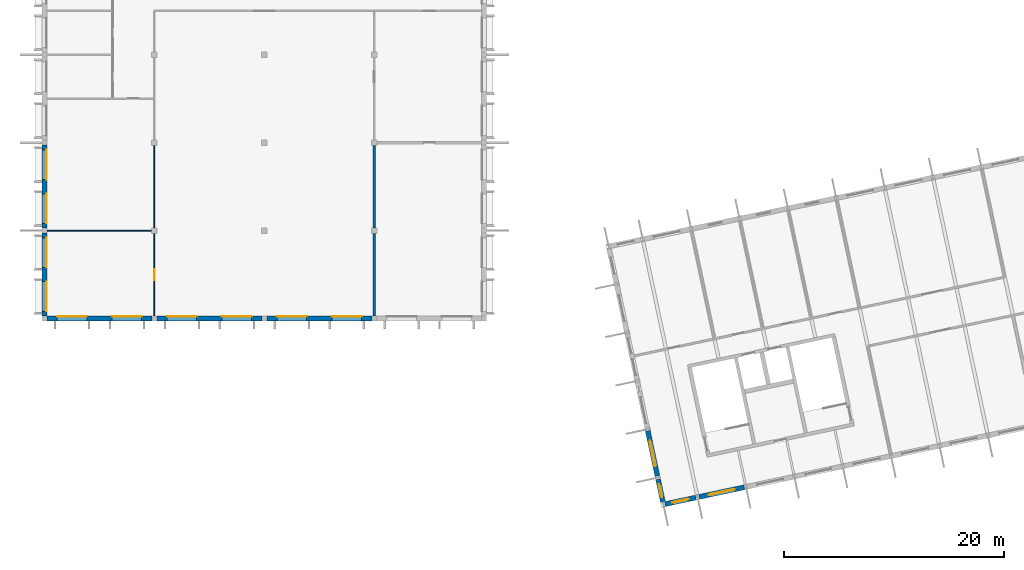
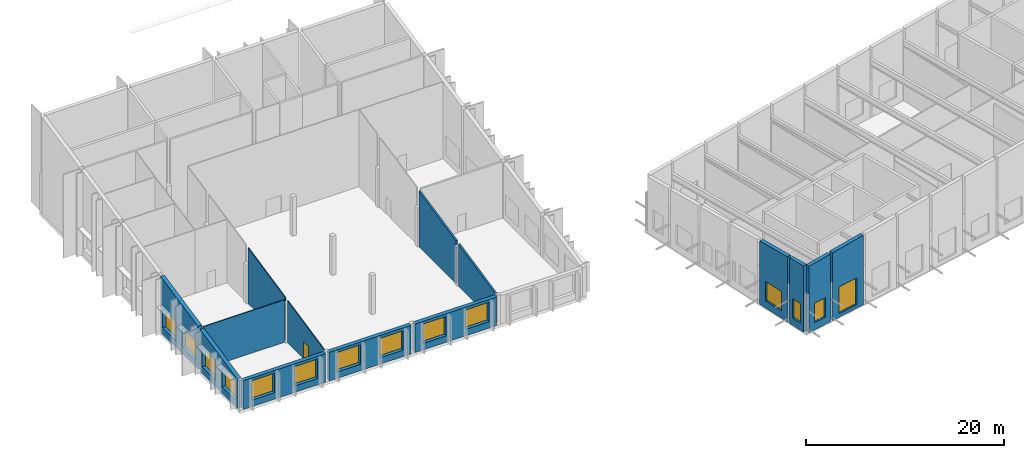
# One storey, part 37 of 69: 14 walls, 14 windows, 1 door, 15 openings.
"""IFC4 building model written with IfcOpenShell, lengths in metres."""

from ifc_helpers import new_model, si_unit, direction, frame, frame_2d, origin, place, context, subcontext, project, spatial, polyline, rectangle, outline, extrude, material, layer, layer_set, type_object, element, fill, save


model = new_model("IFC4")

# Units and contexts
model_context = context("Model", 3, precision=1e-05, world=origin(), true_north=direction((0.0, 1.0)))
body_context = subcontext(model_context, "Body", "Model", "MODEL_VIEW")
ifc_project = project(units=[si_unit("LENGTHUNIT", "METRE"), si_unit("AREAUNIT", "SQUARE_METRE"), si_unit("VOLUMEUNIT", "CUBIC_METRE"), si_unit("PLANEANGLEUNIT", "RADIAN"), si_unit("MASSUNIT", "GRAM", prefix="KILO")], contexts=[model_context])

# Site, building, storey
site_placement = place(None, origin())
site = spatial("IfcSite", under=ifc_project, at=site_placement, CompositionType="ELEMENT")
building_placement = place(site_placement, origin())
building = spatial("IfcBuilding", under=site, at=building_placement, Name="Okhra Congress Centre", CompositionType="ELEMENT")
storey_placement = place(building_placement, frame((0.0, 0.0, 16.800048828125)))
storey = spatial("IfcBuildingStorey", under=building, at=storey_placement, Name="L03", CompositionType="ELEMENT", Elevation=16.800048828125)

# Wall, openings, windows
ifc_material_1 = material(Name="Insulated metal panel on steel stud (mineral wool, vapour barrier)", Category="steel")
ifc_layer_1 = layer(ifc_material_1, 0.449951171875)
ifc_layer_set_1 = layer_set([ifc_layer_1], Name="Insulated wall 450")
wall_type_1 = type_object("IfcWallType", Name="Insulated wall 450", PredefinedType="SOLIDWALL", material=ifc_layer_set_1)
wall_1_placement = place(storey_placement, frame((6.22509765625, 44.0, 0.0), z_axis=(0.0, 0.0, 1.0), x_axis=(1.0, 0.0, 0.0)))
wall_1 = element("IfcWall", 1, at=wall_1_placement, inside=storey, type_object=wall_type_1, Name="RS.WALL.L03.1", PredefinedType="SOLIDWALL", context=body_context, shape_type="SweptSolid", body=[
    extrude(rectangle(XDim=9.5498046875, YDim=0.449951171875, at=frame_2d((4.77490234375, 0.0))), origin(), (0.0, 0.0, 1.0), 3.541015625),
])
opening_1_placement = place(wall_1_placement, frame((0.925048828125, 0.0, 0.800048828125)))
opening_1 = element("IfcOpeningElement", 2, at=opening_1_placement, cuts=wall_1, Name="Opening WN19", PredefinedType="OPENING", context=body_context, shape_type="SweptSolid", body=[
    extrude(rectangle(XDim=2.699951171875, YDim=2.39990234375, at=frame_2d((1.35009765625, 1.199951171875))), frame((0.0, 0.23486328125, 0.0), z_axis=(0.0, -1.0, 0.0), x_axis=(1.0, 0.0, 0.0)), (0.0, 0.0, 1.0), 0.469970703125),
])
opening_2_placement = place(wall_1_placement, frame((5.925048828125, 0.0, 0.800048828125)))
opening_2 = element("IfcOpeningElement", 3, at=opening_2_placement, cuts=wall_1, Name="Opening WN19", PredefinedType="OPENING", context=body_context, shape_type="SweptSolid", body=[
    extrude(rectangle(XDim=2.699951171875, YDim=2.39990234375, at=frame_2d((1.35009765625, 1.199951171875))), frame((0.0, 0.23486328125, 0.0), z_axis=(0.0, -1.0, 0.0), x_axis=(1.0, 0.0, 0.0)), (0.0, 0.0, 1.0), 0.469970703125),
])
ifc_material_2 = material(Name="Thermally broken aluminium frame, triple glazing", Category="aluminium")
window_type_1 = type_object("IfcWindowType", Name="Fixed window 2700x2400", PartitioningType="SINGLE_PANEL", PredefinedType="WINDOW", material=ifc_material_2)
window_1_placement = place(opening_1_placement, origin())
window_1 = element("IfcWindow", 4, at=window_1_placement, inside=storey, type_object=window_type_1, Name="RS.WIN.L03.1", OverallHeight=2.39990234375, OverallWidth=2.699951171875, PartitioningType="SINGLE_PANEL", PredefinedType="WINDOW", context=body_context, shape_type="SweptSolid", body=[
    extrude(rectangle(XDim=2.699951171875, YDim=2.39990234375, at=frame_2d((1.35009765625, 1.199951171875))), frame((0.0, 0.215087890625, 0.0), z_axis=(0.0, -1.0, 0.0), x_axis=(1.0, 0.0, 0.0)), (0.0, 0.0, 1.0), 0.06005859375),
])
fill(opening_1, window_1)
window_2_placement = place(opening_2_placement, origin())
window_2 = element("IfcWindow", 5, at=window_2_placement, inside=storey, type_object=window_type_1, Name="RS.WIN.L03.2", OverallHeight=2.39990234375, OverallWidth=2.699951171875, PartitioningType="SINGLE_PANEL", PredefinedType="WINDOW", context=body_context, shape_type="SweptSolid", body=[
    extrude(rectangle(XDim=2.699951171875, YDim=2.39990234375, at=frame_2d((1.35009765625, 1.199951171875))), frame((0.0, 0.215087890625, 0.0), z_axis=(0.0, -1.0, 0.0), x_axis=(1.0, 0.0, 0.0)), (0.0, 0.0, 1.0), 0.06005859375),
])
fill(opening_2, window_2)

wall_2_placement = place(storey_placement, frame((16.22509765625, 44.0, 0.0), z_axis=(0.0, 0.0, 1.0), x_axis=(1.0, 0.0, 0.0)))
wall_2 = element("IfcWall", 6, at=wall_2_placement, inside=storey, type_object=wall_type_1, Name="RS.WALL.L03.2", PredefinedType="SOLIDWALL", context=body_context, shape_type="SweptSolid", body=[
    extrude(rectangle(XDim=9.5498046875, YDim=0.449951171875, at=frame_2d((4.77490234375, 0.0))), origin(), (0.0, 0.0, 1.0), 3.541015625),
])
opening_3_placement = place(wall_2_placement, frame((0.925048828125, 0.0, 0.800048828125)))
opening_3 = element("IfcOpeningElement", 7, at=opening_3_placement, cuts=wall_2, Name="Opening WN19", PredefinedType="OPENING", context=body_context, shape_type="SweptSolid", body=[
    extrude(rectangle(XDim=2.699951171875, YDim=2.39990234375, at=frame_2d((1.35009765625, 1.199951171875))), frame((0.0, 0.23486328125, 0.0), z_axis=(0.0, -1.0, 0.0), x_axis=(1.0, 0.0, 0.0)), (0.0, 0.0, 1.0), 0.469970703125),
])
opening_4_placement = place(wall_2_placement, frame((5.925048828125, 0.0, 0.800048828125)))
opening_4 = element("IfcOpeningElement", 8, at=opening_4_placement, cuts=wall_2, Name="Opening WN19", PredefinedType="OPENING", context=body_context, shape_type="SweptSolid", body=[
    extrude(rectangle(XDim=2.699951171875, YDim=2.39990234375, at=frame_2d((1.35009765625, 1.199951171875))), frame((0.0, 0.23486328125, 0.0), z_axis=(0.0, -1.0, 0.0), x_axis=(1.0, 0.0, 0.0)), (0.0, 0.0, 1.0), 0.469970703125),
])
window_3_placement = place(opening_3_placement, origin())
window_3 = element("IfcWindow", 9, at=window_3_placement, inside=storey, type_object=window_type_1, Name="RS.WIN.L03.3", OverallHeight=2.39990234375, OverallWidth=2.699951171875, PartitioningType="SINGLE_PANEL", PredefinedType="WINDOW", context=body_context, shape_type="SweptSolid", body=[
    extrude(rectangle(XDim=2.699951171875, YDim=2.39990234375, at=frame_2d((1.35009765625, 1.199951171875))), frame((0.0, 0.215087890625, 0.0), z_axis=(0.0, -1.0, 0.0), x_axis=(1.0, 0.0, 0.0)), (0.0, 0.0, 1.0), 0.06005859375),
])
fill(opening_3, window_3)
window_4_placement = place(opening_4_placement, origin())
window_4 = element("IfcWindow", 10, at=window_4_placement, inside=storey, type_object=window_type_1, Name="RS.WIN.L03.4", OverallHeight=2.39990234375, OverallWidth=2.699951171875, PartitioningType="SINGLE_PANEL", PredefinedType="WINDOW", context=body_context, shape_type="SweptSolid", body=[
    extrude(rectangle(XDim=2.699951171875, YDim=2.39990234375, at=frame_2d((1.35009765625, 1.199951171875))), frame((0.0, 0.215087890625, 0.0), z_axis=(0.0, -1.0, 0.0), x_axis=(1.0, 0.0, 0.0)), (0.0, 0.0, 1.0), 0.06005859375),
])
fill(opening_4, window_4)

wall_3_placement = place(storey_placement, frame((26.22509765625, 44.0, 0.0), z_axis=(0.0, 0.0, 1.0), x_axis=(1.0, 0.0, 0.0)))
wall_3 = element("IfcWall", 11, at=wall_3_placement, inside=storey, type_object=wall_type_1, Name="RS.WALL.L03.3", PredefinedType="SOLIDWALL", context=body_context, shape_type="SweptSolid", body=[
    extrude(rectangle(XDim=9.5498046875, YDim=0.449951171875, at=frame_2d((4.77490234375, 0.0))), origin(), (0.0, 0.0, 1.0), 3.541015625),
])
opening_5_placement = place(wall_3_placement, frame((0.925048828125, 0.0, 0.800048828125)))
opening_5 = element("IfcOpeningElement", 12, at=opening_5_placement, cuts=wall_3, Name="Opening WN19", PredefinedType="OPENING", context=body_context, shape_type="SweptSolid", body=[
    extrude(rectangle(XDim=2.699951171875, YDim=2.39990234375, at=frame_2d((1.35009765625, 1.199951171875))), frame((0.0, 0.23486328125, 0.0), z_axis=(0.0, -1.0, 0.0), x_axis=(1.0, 0.0, 0.0)), (0.0, 0.0, 1.0), 0.469970703125),
])
opening_6_placement = place(wall_3_placement, frame((5.925048828125, 0.0, 0.800048828125)))
opening_6 = element("IfcOpeningElement", 13, at=opening_6_placement, cuts=wall_3, Name="Opening WN19", PredefinedType="OPENING", context=body_context, shape_type="SweptSolid", body=[
    extrude(rectangle(XDim=2.699951171875, YDim=2.39990234375, at=frame_2d((1.35009765625, 1.199951171875))), frame((0.0, 0.23486328125, 0.0), z_axis=(0.0, -1.0, 0.0), x_axis=(1.0, 0.0, 0.0)), (0.0, 0.0, 1.0), 0.469970703125),
])
window_5_placement = place(opening_5_placement, origin())
window_5 = element("IfcWindow", 14, at=window_5_placement, inside=storey, type_object=window_type_1, Name="RS.WIN.L03.5", OverallHeight=2.39990234375, OverallWidth=2.699951171875, PartitioningType="SINGLE_PANEL", PredefinedType="WINDOW", context=body_context, shape_type="SweptSolid", body=[
    extrude(rectangle(XDim=2.699951171875, YDim=2.39990234375, at=frame_2d((1.35009765625, 1.199951171875))), frame((0.0, 0.215087890625, 0.0), z_axis=(0.0, -1.0, 0.0), x_axis=(1.0, 0.0, 0.0)), (0.0, 0.0, 1.0), 0.06005859375),
])
fill(opening_5, window_5)
window_6_placement = place(opening_6_placement, origin())
window_6 = element("IfcWindow", 15, at=window_6_placement, inside=storey, type_object=window_type_1, Name="RS.WIN.L03.6", OverallHeight=2.39990234375, OverallWidth=2.699951171875, PartitioningType="SINGLE_PANEL", PredefinedType="WINDOW", context=body_context, shape_type="SweptSolid", body=[
    extrude(rectangle(XDim=2.699951171875, YDim=2.39990234375, at=frame_2d((1.35009765625, 1.199951171875))), frame((0.0, 0.215087890625, 0.0), z_axis=(0.0, -1.0, 0.0), x_axis=(1.0, 0.0, 0.0)), (0.0, 0.0, 1.0), 0.06005859375),
])
fill(opening_6, window_6)

wall_4_placement = place(storey_placement, frame((6.0, 51.77490234375, 0.0), z_axis=(0.0, 0.0, 1.0), x_axis=(0.0, -1.0, 0.0)))
wall_4 = element("IfcWall", 16, at=wall_4_placement, inside=storey, type_object=wall_type_1, Name="RS.WALL.L03.25", PredefinedType="SOLIDWALL", context=body_context, shape_type="SweptSolid", body=[
    extrude(outline(polyline([(0.0, 0.0), (7.5498046875, 0.0), (7.550048828125, 3.5888671875), (0.0, 5.193603515625), (0.0, 0.0)])), frame((0.0, 0.22509765625, 0.0), z_axis=(0.0, -1.0, 0.0), x_axis=(1.0, 0.0, 0.0)), (0.0, 0.0, 1.0), 0.449951171875),
])
opening_7_placement = place(wall_4_placement, frame((4.425048828125, 0.0, 0.800048828125)))
opening_7 = element("IfcOpeningElement", 17, at=opening_7_placement, cuts=wall_4, Name="Opening WN19", PredefinedType="OPENING", context=body_context, shape_type="SweptSolid", body=[
    extrude(rectangle(XDim=2.699951171875, YDim=2.39990234375, at=frame_2d((1.35009765625, 1.199951171875))), frame((0.0, 0.23486328125, 0.0), z_axis=(0.0, -1.0, 0.0), x_axis=(1.0, 0.0, 0.0)), (0.0, 0.0, 1.0), 0.469970703125),
])
opening_8_placement = place(wall_4_placement, frame((0.425048828125, 0.0, 0.800048828125)))
opening_8 = element("IfcOpeningElement", 18, at=opening_8_placement, cuts=wall_4, Name="Opening WN19", PredefinedType="OPENING", context=body_context, shape_type="SweptSolid", body=[
    extrude(rectangle(XDim=2.699951171875, YDim=2.39990234375, at=frame_2d((1.35009765625, 1.199951171875))), frame((0.0, 0.23486328125, 0.0), z_axis=(0.0, -1.0, 0.0), x_axis=(1.0, 0.0, 0.0)), (0.0, 0.0, 1.0), 0.469970703125),
])
window_7_placement = place(opening_7_placement, origin())
window_7 = element("IfcWindow", 19, at=window_7_placement, inside=storey, type_object=window_type_1, Name="RS.WIN.L03.11", OverallHeight=2.39990234375, OverallWidth=2.699951171875, PartitioningType="SINGLE_PANEL", PredefinedType="WINDOW", context=body_context, shape_type="SweptSolid", body=[
    extrude(rectangle(XDim=2.699951171875, YDim=2.39990234375, at=frame_2d((1.35009765625, 1.199951171875))), frame((0.0, 0.215087890625, 0.0), z_axis=(0.0, -1.0, 0.0), x_axis=(1.0, 0.0, 0.0)), (0.0, 0.0, 1.0), 0.06005859375),
])
fill(opening_7, window_7)
window_8_placement = place(opening_8_placement, origin())
window_8 = element("IfcWindow", 20, at=window_8_placement, inside=storey, type_object=window_type_1, Name="RS.WIN.L03.12", OverallHeight=2.39990234375, OverallWidth=2.699951171875, PartitioningType="SINGLE_PANEL", PredefinedType="WINDOW", context=body_context, shape_type="SweptSolid", body=[
    extrude(rectangle(XDim=2.699951171875, YDim=2.39990234375, at=frame_2d((1.35009765625, 1.199951171875))), frame((0.0, 0.215087890625, 0.0), z_axis=(0.0, -1.0, 0.0), x_axis=(1.0, 0.0, 0.0)), (0.0, 0.0, 1.0), 0.06005859375),
])
fill(opening_8, window_8)

wall_5_placement = place(storey_placement, frame((6.0, 59.77490234375, 0.0), z_axis=(0.0, 0.0, 1.0), x_axis=(0.0, -1.0, 0.0)))
wall_5 = element("IfcWall", 21, at=wall_5_placement, inside=storey, type_object=wall_type_1, Name="RS.WALL.L03.26", PredefinedType="SOLIDWALL", context=body_context, shape_type="SweptSolid", body=[
    extrude(outline(polyline([(0.0, 0.0), (7.5498046875, 0.0), (7.550048828125, 5.289306640625), (0.0, 6.89404296875), (0.0, 0.0)])), frame((0.0, 0.22509765625, 0.0), z_axis=(0.0, -1.0, 0.0), x_axis=(1.0, 0.0, 0.0)), (0.0, 0.0, 1.0), 0.449951171875),
])
opening_9_placement = place(wall_5_placement, frame((4.425048828125, 0.0, 0.800048828125)))
opening_9 = element("IfcOpeningElement", 22, at=opening_9_placement, cuts=wall_5, Name="Opening WN19", PredefinedType="OPENING", context=body_context, shape_type="SweptSolid", body=[
    extrude(rectangle(XDim=2.699951171875, YDim=2.39990234375, at=frame_2d((1.35009765625, 1.199951171875))), frame((0.0, 0.23486328125, 0.0), z_axis=(0.0, -1.0, 0.0), x_axis=(1.0, 0.0, 0.0)), (0.0, 0.0, 1.0), 0.469970703125),
])
opening_10_placement = place(wall_5_placement, frame((0.425048828125, 0.0, 0.800048828125)))
opening_10 = element("IfcOpeningElement", 23, at=opening_10_placement, cuts=wall_5, Name="Opening WN19", PredefinedType="OPENING", context=body_context, shape_type="SweptSolid", body=[
    extrude(rectangle(XDim=2.699951171875, YDim=2.39990234375, at=frame_2d((1.35009765625, 1.199951171875))), frame((0.0, 0.23486328125, 0.0), z_axis=(0.0, -1.0, 0.0), x_axis=(1.0, 0.0, 0.0)), (0.0, 0.0, 1.0), 0.469970703125),
])
window_9_placement = place(opening_9_placement, origin())
window_9 = element("IfcWindow", 24, at=window_9_placement, inside=storey, type_object=window_type_1, Name="RS.WIN.L03.13", OverallHeight=2.39990234375, OverallWidth=2.699951171875, PartitioningType="SINGLE_PANEL", PredefinedType="WINDOW", context=body_context, shape_type="SweptSolid", body=[
    extrude(rectangle(XDim=2.699951171875, YDim=2.39990234375, at=frame_2d((1.35009765625, 1.199951171875))), frame((0.0, 0.215087890625, 0.0), z_axis=(0.0, -1.0, 0.0), x_axis=(1.0, 0.0, 0.0)), (0.0, 0.0, 1.0), 0.06005859375),
])
fill(opening_9, window_9)
window_10_placement = place(opening_10_placement, origin())
window_10 = element("IfcWindow", 25, at=window_10_placement, inside=storey, type_object=window_type_1, Name="RS.WIN.L03.14", OverallHeight=2.39990234375, OverallWidth=2.699951171875, PartitioningType="SINGLE_PANEL", PredefinedType="WINDOW", context=body_context, shape_type="SweptSolid", body=[
    extrude(rectangle(XDim=2.699951171875, YDim=2.39990234375, at=frame_2d((1.35009765625, 1.199951171875))), frame((0.0, 0.215087890625, 0.0), z_axis=(0.0, -1.0, 0.0), x_axis=(1.0, 0.0, 0.0)), (0.0, 0.0, 1.0), 0.06005859375),
])
fill(opening_10, window_10)

# Wall, opening, window
wall_6_placement = place(storey_placement, frame((62.453857421875, 27.115966796875, 0.0), z_axis=(0.0, 0.0, 1.0), x_axis=(0.978151512004, 0.207893288886, 0.0)))
wall_6 = element("IfcWall", 26, at=wall_6_placement, inside=storey, type_object=wall_type_1, Name="External wall S1 L03", PredefinedType="SOLIDWALL", context=body_context, shape_type="SweptSolid", body=[
    extrude(outline(polyline([(0.0, 0.0), (2.874755859375, 0.0), (2.875, 8.352783203125), (0.0, 8.198974609375), (0.0, 0.0)])), frame((0.0, 0.22509765625, 0.0), z_axis=(0.0, -1.0, 0.0), x_axis=(1.0, 0.0, 0.0)), (0.0, 0.0, 1.0), 0.449951171875),
])
opening_11_placement = place(wall_6_placement, frame((0.6875, 0.0, 0.89990234375)))
opening_11 = element("IfcOpeningElement", 27, at=opening_11_placement, cuts=wall_6, Name="Opening WN20", PredefinedType="OPENING", context=body_context, shape_type="SweptSolid", body=[
    extrude(rectangle(XDim=1.5, YDim=2.39990234375, at=frame_2d((0.75, 1.199951171875))), frame((0.0, 0.23486328125, 0.0), z_axis=(0.0, -1.0, 0.0), x_axis=(1.0, 0.0, 0.0)), (0.0, 0.0, 1.0), 0.469970703125),
])
window_type_2 = type_object("IfcWindowType", Name="Fixed window 1500x2400", PartitioningType="SINGLE_PANEL", PredefinedType="WINDOW", material=ifc_material_2)
window_11_placement = place(opening_11_placement, origin())
window_11 = element("IfcWindow", 28, at=window_11_placement, inside=storey, type_object=window_type_2, Name="BX.WIN.L03.1", OverallHeight=2.39990234375, OverallWidth=1.5, PartitioningType="SINGLE_PANEL", PredefinedType="WINDOW", context=body_context, shape_type="SweptSolid", body=[
    extrude(rectangle(XDim=1.5, YDim=2.39990234375, at=frame_2d((0.75, 1.199951171875))), frame((0.0, 0.030029296875, 0.0), z_axis=(0.0, -1.0, 0.0), x_axis=(1.0, 0.0, 0.0)), (0.0, 0.0, 1.0), 0.06005859375),
])
fill(opening_11, window_11)

wall_7_placement = place(storey_placement, frame((65.559326171875, 27.776123046875, 0.0), z_axis=(0.0, 0.0, 1.0), x_axis=(0.978155748334, 0.207873355681, 0.0)))
wall_7 = element("IfcWall", 29, at=wall_7_placement, inside=storey, type_object=wall_type_1, Name="External wall S2 L03", PredefinedType="SOLIDWALL", context=body_context, shape_type="SweptSolid", body=[
    extrude(outline(polyline([(0.0, 0.0), (4.199951171875, 0.0), (4.199951171875, 8.593505859375), (0.0, 8.368896484375), (0.0, 0.0)])), frame((0.0, 0.22509765625, 0.0), z_axis=(0.0, -1.0, 0.0), x_axis=(1.0, 0.0, 0.0)), (0.0, 0.0, 1.0), 0.449951171875),
])
opening_12_placement = place(wall_7_placement, frame((0.89990234375, 0.0, 0.449951171875)))
opening_12 = element("IfcOpeningElement", 30, at=opening_12_placement, cuts=wall_7, Name="Opening WN21", PredefinedType="OPENING", context=body_context, shape_type="SweptSolid", body=[
    extrude(rectangle(XDim=2.39990234375, YDim=3.300048828125, at=frame_2d((1.199951171875, 1.64990234375))), frame((0.0, 0.23486328125, 0.0), z_axis=(0.0, -1.0, 0.0), x_axis=(1.0, 0.0, 0.0)), (0.0, 0.0, 1.0), 0.469970703125),
])
window_type_3 = type_object("IfcWindowType", Name="Two-light window 2400x3300", PartitioningType="DOUBLE_PANEL_VERTICAL", PredefinedType="WINDOW", material=ifc_material_2)
window_12_placement = place(opening_12_placement, origin())
window_12 = element("IfcWindow", 31, at=window_12_placement, inside=storey, type_object=window_type_3, Name="BX.WIN.L03.2", OverallHeight=3.300048828125, OverallWidth=2.39990234375, PartitioningType="DOUBLE_PANEL_VERTICAL", PredefinedType="WINDOW", context=body_context, shape_type="SweptSolid", body=[
    extrude(rectangle(XDim=2.39990234375, YDim=3.300048828125, at=frame_2d((1.199951171875, 1.64990234375))), frame((0.0, 0.030029296875, 0.0), z_axis=(0.0, -1.0, 0.0), x_axis=(1.0, 0.0, 0.0)), (0.0, 0.0, 1.0), 0.06005859375),
])
fill(opening_12, window_12)

wall_8_placement = place(storey_placement, frame((62.26123046875, 27.2998046875, 0.0), z_axis=(0.0, 0.0, 1.0), x_axis=(-0.207834022607, 0.978164106399, 0.0)))
wall_8 = element("IfcWall", 32, at=wall_8_placement, inside=storey, type_object=wall_type_1, Name="External wall W1 L03", PredefinedType="SOLIDWALL", context=body_context, shape_type="SweptSolid", body=[
    extrude(outline(polyline([(0.0, 0.0), (2.125, 0.0), (2.125, 8.06787109375), (0.0, 8.179443359375), (0.0, 0.0)])), frame((0.0, 0.22509765625, 0.0), z_axis=(0.0, -1.0, 0.0), x_axis=(1.0, 0.0, 0.0)), (0.0, 0.0, 1.0), 0.449951171875),
])
opening_13_placement = place(wall_8_placement, frame((0.46240234375, 0.0, 0.89990234375)))
opening_13 = element("IfcOpeningElement", 33, at=opening_13_placement, cuts=wall_8, Name="Opening WN25", PredefinedType="OPENING", context=body_context, shape_type="SweptSolid", body=[
    extrude(rectangle(XDim=1.199951171875, YDim=2.39990234375, at=frame_2d((0.60009765625, 1.199951171875))), frame((0.0, 0.23486328125, 0.0), z_axis=(0.0, -1.0, 0.0), x_axis=(1.0, 0.0, 0.0)), (0.0, 0.0, 1.0), 0.469970703125),
])
window_type_4 = type_object("IfcWindowType", Name="Fixed window 1200x2400", PartitioningType="SINGLE_PANEL", PredefinedType="WINDOW", material=ifc_material_2)
window_13_placement = place(opening_13_placement, origin())
window_13 = element("IfcWindow", 34, at=window_13_placement, inside=storey, type_object=window_type_4, Name="BX.WIN.L03.122", OverallHeight=2.39990234375, OverallWidth=1.199951171875, PartitioningType="SINGLE_PANEL", PredefinedType="WINDOW", context=body_context, shape_type="SweptSolid", body=[
    extrude(rectangle(XDim=1.199951171875, YDim=2.39990234375, at=frame_2d((0.60009765625, 1.199951171875))), frame((0.0, 0.030029296875, 0.0), z_axis=(0.0, -1.0, 0.0), x_axis=(1.0, 0.0, 0.0)), (0.0, 0.0, 1.0), 0.06005859375),
])
fill(opening_13, window_13)

wall_9_placement = place(storey_placement, frame((61.757080078125, 29.671875, 0.0), z_axis=(0.0, 0.0, 1.0), x_axis=(-0.207928972925, 0.978143927149, 0.0)))
wall_9 = element("IfcWall", 35, at=wall_9_placement, inside=storey, type_object=wall_type_1, Name="External wall W2 L03", PredefinedType="SOLIDWALL", context=body_context, shape_type="SweptSolid", body=[
    extrude(outline(polyline([(0.0, 0.0), (4.199951171875, 0.0), (4.199951171875, 7.83203125), (0.0, 8.05224609375), (0.0, 0.0)])), frame((0.0, 0.22509765625, 0.0), z_axis=(0.0, -1.0, 0.0), x_axis=(1.0, 0.0, 0.0)), (0.0, 0.0, 1.0), 0.449951171875),
])
opening_14_placement = place(wall_9_placement, frame((0.89990234375, 0.0, 0.89990234375)))
opening_14 = element("IfcOpeningElement", 36, at=opening_14_placement, cuts=wall_9, Name="Opening WN22", PredefinedType="OPENING", context=body_context, shape_type="SweptSolid", body=[
    extrude(rectangle(XDim=2.39990234375, YDim=2.39990234375, at=frame_2d((1.199951171875, 1.199951171875))), frame((0.0, 0.23486328125, 0.0), z_axis=(0.0, -1.0, 0.0), x_axis=(1.0, 0.0, 0.0)), (0.0, 0.0, 1.0), 0.469970703125),
])
window_type_5 = type_object("IfcWindowType", Name="Fixed window 2400x2400", PartitioningType="SINGLE_PANEL", PredefinedType="WINDOW", material=ifc_material_2)
window_14_placement = place(opening_14_placement, origin())
window_14 = element("IfcWindow", 37, at=window_14_placement, inside=storey, type_object=window_type_5, Name="BX.WIN.L03.123", OverallHeight=2.39990234375, OverallWidth=2.39990234375, PartitioningType="SINGLE_PANEL", PredefinedType="WINDOW", context=body_context, shape_type="SweptSolid", body=[
    extrude(rectangle(XDim=2.39990234375, YDim=2.39990234375, at=frame_2d((1.199951171875, 1.199951171875))), frame((0.0, 0.030029296875, 0.0), z_axis=(0.0, -1.0, 0.0), x_axis=(1.0, 0.0, 0.0)), (0.0, 0.0, 1.0), 0.06005859375),
])
fill(opening_14, window_14)

# Walls
ifc_material_3 = material(Name="Masonry blockwork (aerated concrete D500)", Category="masonry")
ifc_layer_2 = layer(ifc_material_3, 0.199951171875)
ifc_layer_set_2 = layer_set([ifc_layer_2], Name="Masonry block wall 200 EI 45")
wall_type_2 = type_object("IfcWallType", Name="Masonry block wall 200 EI 45", PredefinedType="SOLIDWALL", material=ifc_layer_set_2)
wall_10_placement = place(storey_placement, frame((36.0, 44.22509765625, 0.0), z_axis=(0.0, 0.0, 1.0), x_axis=(0.0, 1.0, 0.0)))
element("IfcWall", 38, at=wall_10_placement, inside=storey, type_object=wall_type_2, Name="RS.WALL.L03.43", PredefinedType="SOLIDWALL", context=body_context, shape_type="SweptSolid", body=[
    extrude(outline(polyline([(0.0, 0.0), (7.52490234375, 0.0), (7.52490234375, 5.1884765625), (0.0, 3.5888671875), (0.0, 0.0)])), frame((0.0, 0.10009765625, 0.0), z_axis=(0.0, -1.0, 0.0), x_axis=(1.0, 0.0, 0.0)), (0.0, 0.0, 1.0), 0.199951171875),
])
wall_11_placement = place(storey_placement, frame((36.0, 52.25, 0.0), z_axis=(0.0, 0.0, 1.0), x_axis=(0.0, 1.0, 0.0)))
element("IfcWall", 39, at=wall_11_placement, inside=storey, type_object=wall_type_2, Name="RS.WALL.L03.44", PredefinedType="SOLIDWALL", context=body_context, shape_type="SweptSolid", body=[
    extrude(outline(polyline([(0.0, 0.0), (7.5, 0.0), (7.5, 6.888916015625), (0.0, 5.294677734375), (0.0, 0.0)])), frame((0.0, 0.10009765625, 0.0), z_axis=(0.0, -1.0, 0.0), x_axis=(1.0, 0.0, 0.0)), (0.0, 0.0, 1.0), 0.199951171875),
])
ifc_material_4 = material(Name="Gypsum board on steel studs", Category="steel")
ifc_layer_3 = layer(ifc_material_4, 0.10009765625)
ifc_layer_set_3 = layer_set([ifc_layer_3], Name="Partition 100 EI 15")
wall_type_3 = type_object("IfcWallType", Name="Partition 100 EI 15", PredefinedType="PARTITIONING", material=ifc_layer_set_3)
wall_12_placement = place(storey_placement, frame((6.22509765625, 52.0, 0.0), z_axis=(0.0, 0.0, 1.0), x_axis=(1.0, 0.0, 0.0)))
element("IfcWall", 40, at=wall_12_placement, inside=storey, type_object=wall_type_3, Name="RS.WALL.L03.5", PredefinedType="PARTITIONING", context=body_context, shape_type="SweptSolid", body=[
    extrude(rectangle(XDim=9.52490234375, YDim=0.10009765625, at=frame_2d((4.762451171875, 0.0))), origin(), (0.0, 0.0, 1.0), 5.241455078125),
])

# Wall, opening, door
wall_13_placement = place(storey_placement, frame((16.0, 44.22509765625, 0.0), z_axis=(0.0, 0.0, 1.0), x_axis=(0.0, 1.0, 0.0)))
wall_13 = element("IfcWall", 41, at=wall_13_placement, inside=storey, type_object=wall_type_3, Name="RS.WALL.L03.31", PredefinedType="PARTITIONING", context=body_context, shape_type="SweptSolid", body=[
    extrude(outline(polyline([(0.0, 0.0), (7.52490234375, 0.0), (7.52490234375, 5.1884765625), (0.0, 3.5888671875), (0.0, 0.0)])), frame((0.0, 0.050048828125, 0.0), z_axis=(0.0, -1.0, 0.0), x_axis=(1.0, 0.0, 0.0)), (0.0, 0.0, 1.0), 0.10009765625),
])
opening_15_placement = place(wall_13_placement, frame((3.27490234375, 0.0, 0.0)))
opening_15 = element("IfcOpeningElement", 42, at=opening_15_placement, cuts=wall_13, Name="Opening L03-011", PredefinedType="OPENING", context=body_context, shape_type="SweptSolid", body=[
    extrude(rectangle(XDim=1.0, YDim=2.10009765625, at=frame_2d((0.5, 1.050048828125))), frame((0.0, 0.06005859375, 0.0), z_axis=(0.0, -1.0, 0.0), x_axis=(1.0, 0.0, 0.0)), (0.0, 0.0, 1.0), 0.1201171875),
])
ifc_material_5 = material(Name="Timber door leaf in steel frame", Category="steel")
door_type = type_object("IfcDoorType", Name="Single swing door 1000x2100", OperationType="NOTDEFINED", PredefinedType="DOOR", material=ifc_material_5)
door_placement = place(opening_15_placement, frame((1.0, 0.0, 0.0), z_axis=(0.0, 0.0, 1.0), x_axis=(-1.0, 0.0, 0.0)))
door = element("IfcDoor", 43, at=door_placement, inside=storey, type_object=door_type, Name="Door L03-011", OperationType="SINGLE_SWING_RIGHT", OverallHeight=2.10009765625, OverallWidth=1.0, PredefinedType="DOOR", context=body_context, shape_type="SweptSolid", body=[
    extrude(rectangle(XDim=1.0, YDim=2.10009765625, at=frame_2d((0.5, 1.050048828125))), frame((0.0, 0.02490234375, 0.0), z_axis=(0.0, -1.0, 0.0), x_axis=(1.0, 0.0, 0.0)), (0.0, 0.0, 1.0), 0.050048828125),
])
fill(opening_15, door)

# Wall
wall_14_placement = place(storey_placement, frame((16.0, 52.25, 0.0), z_axis=(0.0, 0.0, 1.0), x_axis=(0.0, 1.0, 0.0)))
element("IfcWall", 44, at=wall_14_placement, inside=storey, type_object=wall_type_3, Name="RS.WALL.L03.32", PredefinedType="PARTITIONING", context=body_context, shape_type="SweptSolid", body=[
    extrude(outline(polyline([(0.0, 0.0), (7.5, 0.0), (7.5, 6.888916015625), (0.0, 5.294677734375), (0.0, 0.0)])), frame((0.0, 0.050048828125, 0.0), z_axis=(0.0, -1.0, 0.0), x_axis=(1.0, 0.0, 0.0)), (0.0, 0.0, 1.0), 0.10009765625),
])

save(model, "model.ifc")
